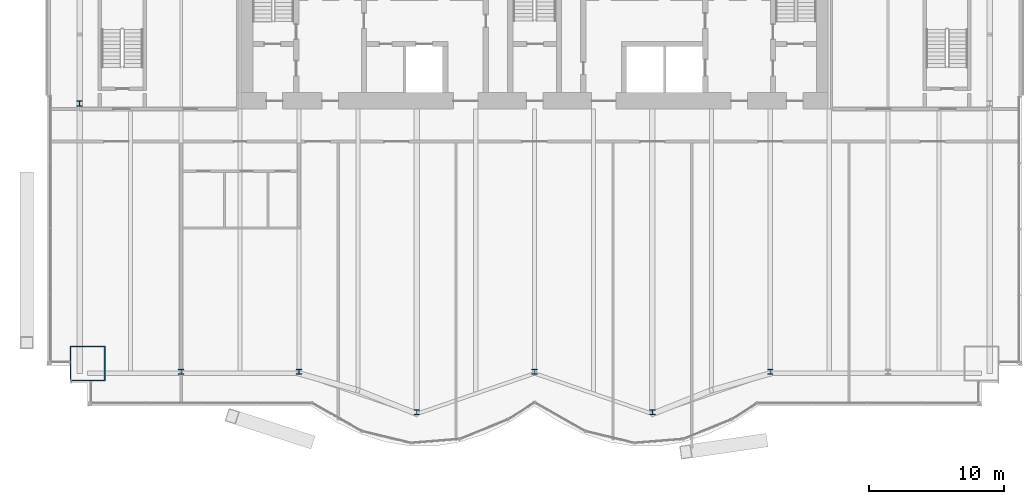
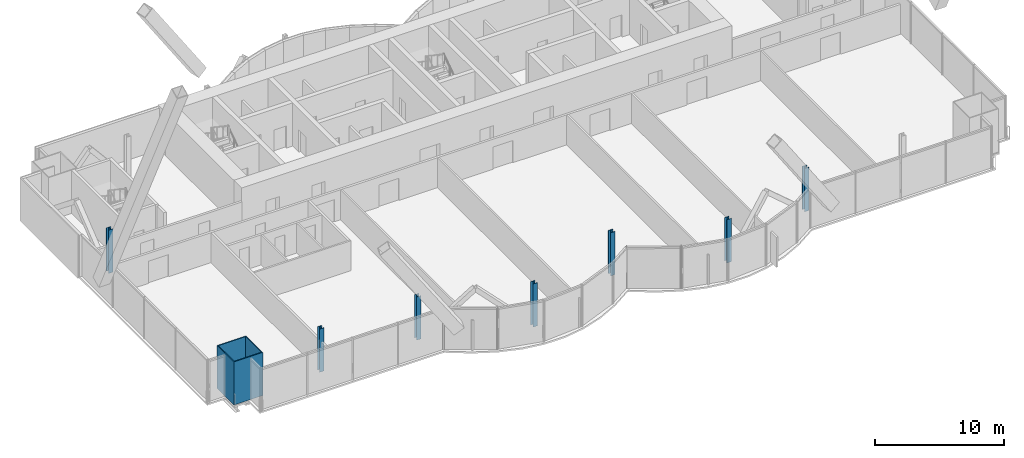
# One storey, part 1 of 24: 8 columns.
"""IFC4 building model written with IfcOpenShell, lengths in metres."""

from ifc_helpers import new_model, si_unit, direction, frame, origin, origin_2d, place, context, subcontext, project, spatial, hollow_rectangle, i_section, extrude, material, material_profile, profile_set, type_object, element, save


model = new_model("IFC4")

# Units and contexts
model_context = context("Model", 3, precision=1e-05, world=origin(), true_north=direction((0.0, 1.0)))
body_context = subcontext(model_context, "Body", "Model", "MODEL_VIEW")
ifc_project = project(units=[si_unit("LENGTHUNIT", "METRE"), si_unit("AREAUNIT", "SQUARE_METRE"), si_unit("VOLUMEUNIT", "CUBIC_METRE"), si_unit("PLANEANGLEUNIT", "RADIAN"), si_unit("MASSUNIT", "GRAM", prefix="KILO")], contexts=[model_context])

# Site, building, storey
site_placement = place(None, origin())
site = spatial("IfcSite", under=ifc_project, at=site_placement, CompositionType="ELEMENT")
building_placement = place(site_placement, origin())
building = spatial("IfcBuilding", under=site, at=building_placement, Name="Bicima Exchange Tower", CompositionType="ELEMENT")
storey_placement = place(building_placement, frame((0.0, 0.0, 160.89990234375)))
storey = spatial("IfcBuildingStorey", under=building, at=storey_placement, Name="L35", CompositionType="ELEMENT", Elevation=160.89990234375)

# Columns
ifc_material_1 = material(Name="Steel ASTM A572 Gr 50", Category="steel")
ifc_material_profile_1 = material_profile(ifc_material_1, hollow_rectangle(XDim=2.60009765625, YDim=2.60009765625, WallThickness=0.080078125, at=origin_2d()))
ifc_profile_set_1 = profile_set([ifc_material_profile_1], Name="Steel ASTM A572 Gr 50")
column_type_1 = type_object("IfcColumnType", Name="Mega column BOX 2600x2600x80", PredefinedType="COLUMN", material=ifc_profile_set_1)
column_placement = place(storey_placement, frame((-33.0, -31.802001953125, 0.0), z_axis=(0.0, 0.0, 1.0), x_axis=(1.0, 0.0, 0.0)))
element("IfcColumn", 1, at=column_placement, inside=storey, type_object=column_type_1, Name="Mega column mega-33.0f", PredefinedType="COLUMN", context=body_context, shape_type="SweptSolid", body=[
    extrude(hollow_rectangle(XDim=2.60009765625, YDim=2.60009765625, WallThickness=0.080078125, at=origin_2d()), origin(), (0.0, 0.0, 1.0), 4.10009765625),
])
ifc_material_2 = material(Name="Steel ASTM A992 Gr 50", Category="steel")
ifc_material_profile_2 = material_profile(ifc_material_2, i_section(OverallWidth=0.396240234375, OverallDepth=0.381103515625, WebThickness=0.01904296875, FlangeThickness=0.0302734375, at=origin_2d()))
ifc_profile_set_2 = profile_set([ifc_material_profile_2], Name="Steel ASTM A992 Gr 50")
column_type_2 = type_object("IfcColumnType", Name="Perimeter column W14x159", PredefinedType="COLUMN", material=ifc_profile_set_2)
for number, where, z_axis, x_axis, name in (
    (2, (-26.10009765625, -32.402099609375, 0.0), (0.0, 0.0, 1.0), (1.0, 0.0, 0.0), "Perimeter column grav-26.1f"),
    (3, (-17.39990234375, -32.402099609375, 0.0), (0.0, 0.0, 1.0), (1.0, 0.0, 0.0), "Perimeter column grav-17.4f"),
    (4, (-8.699951171875, -35.39306640625, 0.0), (0.0, 0.0, 1.0), (1.0, 0.0, 0.0), "Perimeter column grav-8.7f"),
    (5, (0.0, -32.402099609375, 0.0), (0.0, 0.0, 1.0), (1.0, 0.0, 0.0), "Perimeter column grav-0.0f"),
    (6, (8.699951171875, -35.39306640625, 0.0), (0.0, 0.0, 1.0), (1.0, 0.0, 0.0), "Perimeter column grav+8.7f"),
    (7, (17.39990234375, -32.402099609375, 0.0), (0.0, 0.0, 1.0), (1.0, 0.0, 0.0), "Perimeter column grav+17.4f"),
    (8, (-33.60009765625, -12.60009765625, 0.0), (0.0, 0.0, 1.0), (1.0, 0.0, 0.0), "End column end-33.6e"),
):
    element("IfcColumn", number, at=place(storey_placement, frame(where, z_axis=z_axis, x_axis=x_axis)), inside=storey, type_object=column_type_2, Name=name, PredefinedType="COLUMN", context=body_context, shape_type="SweptSolid", body=[
        extrude(i_section(OverallWidth=0.396240234375, OverallDepth=0.381103515625, WebThickness=0.01904296875, FlangeThickness=0.0302734375, at=origin_2d()), origin(), (0.0, 0.0, 1.0), 4.10009765625),
    ])

save(model, "model.ifc")
